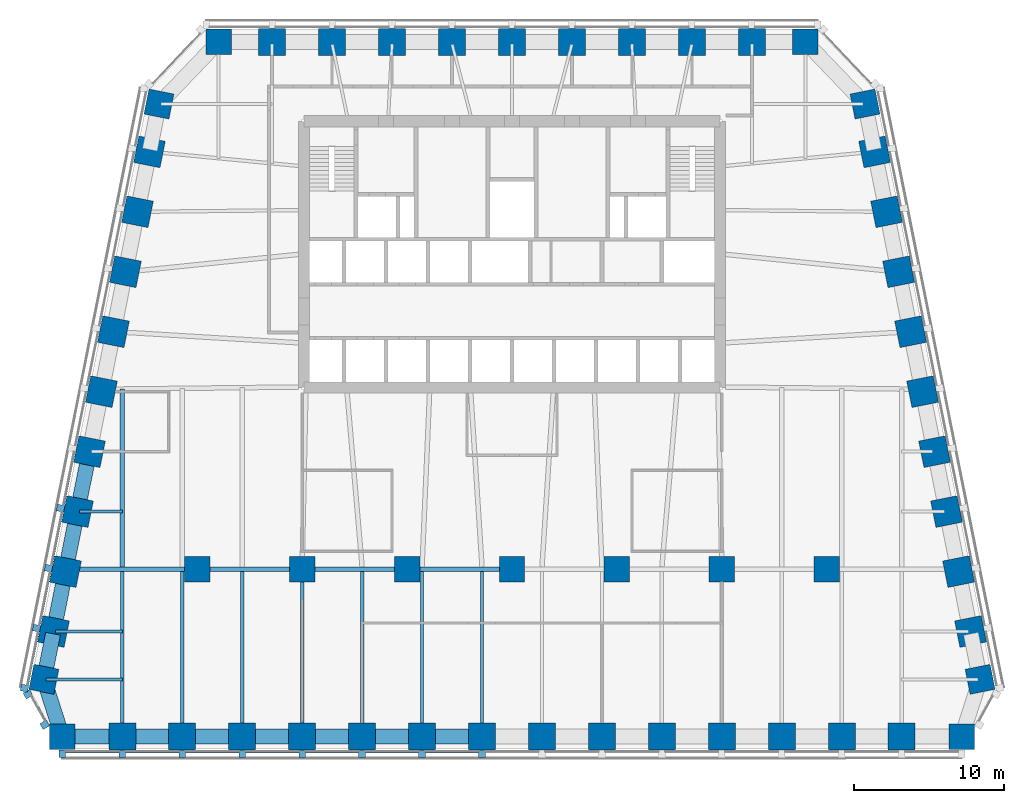
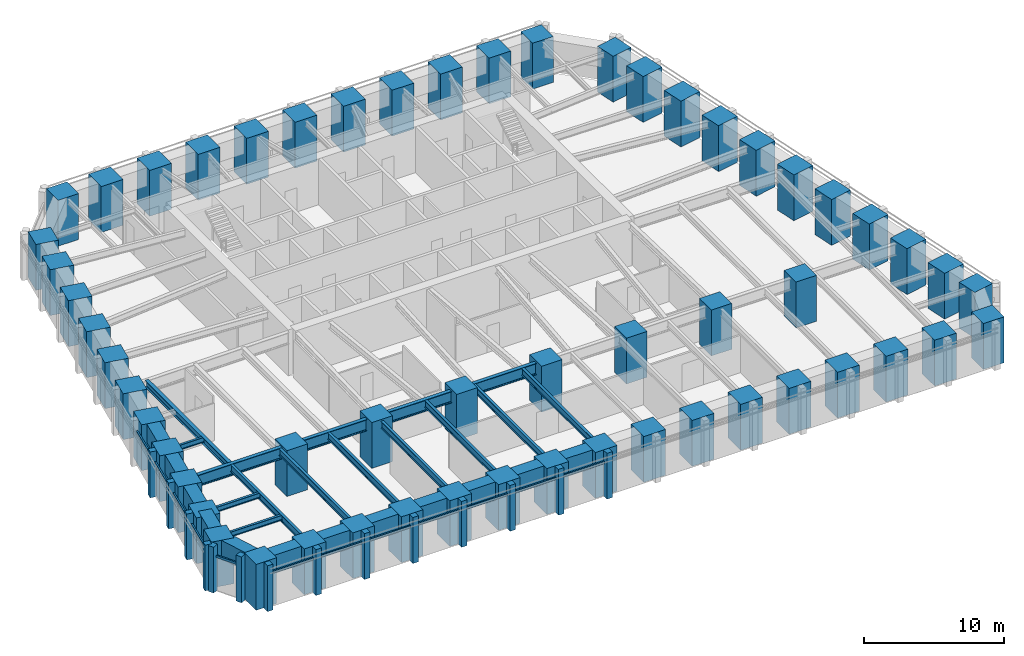
# One storey, part 1 of 9: 56 columns, 27 beams, 26 members, 3 elements without a shape of their own.
"""IFC4 building model written with IfcOpenShell, lengths in metres."""

import ifcopenshell
import ifcopenshell.guid

model = None  # the IFC model being written
_history = None  # IfcOwnerHistory: only IFC2X3 demands one
_inside = {}  # id of a spatial element -> (the spatial element, [elements in it])
_under = {}  # id of a project, library or spatial element -> (it, [spatial elements below it])
_declared = {}  # id of a project -> (the project, [libraries it declares])
_typed = {}  # id of a type object -> (the type object, [elements of that type])
_made_of = {}  # id of a material, layer set ... -> (it, [elements and type objects made of it])


def new_model(schema):
    """Start an empty IFC model of exactly this schema.

    Asked for "IFC4X3", IfcOpenShell would pick the latest addendum, in which some entities
    have other attributes; the version numbers below select the first issue.
    IFC2X3 requires an IfcOwnerHistory on every rooted entity: one is made here for all.
    """
    global model, _history
    if schema == "IFC4X3":
        model = ifcopenshell.file(schema_version=(4, 3, 0, 0))
    else:
        model = ifcopenshell.file(schema=schema)
    _inside.clear()
    _under.clear()
    _declared.clear()
    _typed.clear()
    _made_of.clear()
    _history = None
    if model.schema == "IFC2X3":
        org = make("IfcOrganization", Name="unknown")
        user = make(
            "IfcPersonAndOrganization",
            ThePerson=make("IfcPerson", FamilyName="unknown"),
            TheOrganization=org,
        )
        app = make(
            "IfcApplication",
            ApplicationDeveloper=org,
            Version="unknown",
            ApplicationFullName="unknown",
            ApplicationIdentifier="unknown",
        )
        _history = make(
            "IfcOwnerHistory",
            OwningUser=user,
            OwningApplication=app,
            ChangeAction="ADDED",
            CreationDate=0,
        )
    return model


def make(cls, **values):
    """One entity of the class cls with the attributes given. An attribute that is None is left unset."""
    return model.create_entity(
        cls, **{name: value for name, value in values.items() if value is not None}
    )


def rooted(cls, **values):
    """An entity with a GlobalId (a new one), such as an element, a storey or a relation."""
    return make(cls, GlobalId=ifcopenshell.guid.new(), OwnerHistory=_history, **values)


def si_unit(unit_type, name, prefix=None):
    """IfcSIUnit, for example si_unit("LENGTHUNIT", "METRE", prefix="MILLI")."""
    return make("IfcSIUnit", UnitType=unit_type, Prefix=prefix, Name=name)


def assignment(units):
    """IfcUnitAssignment: the units of a project."""
    return None if units is None else make("IfcUnitAssignment", Units=units)


def point(xyz):
    """IfcCartesianPoint."""
    return None if xyz is None else make("IfcCartesianPoint", Coordinates=xyz)


def direction(xyz):
    """IfcDirection."""
    return None if xyz is None else make("IfcDirection", DirectionRatios=xyz)


def frame(location, z_axis=None, x_axis=None):
    """IfcAxis2Placement3D, a coordinate frame: its origin and axes. An axis left out is left unset."""
    return make(
        "IfcAxis2Placement3D",
        Location=point(location),
        Axis=direction(z_axis),
        RefDirection=direction(x_axis),
    )


def frame_2d(location, x_axis=None):
    """IfcAxis2Placement2D, a coordinate frame in the plane: its origin and x axis."""
    return make(
        "IfcAxis2Placement2D", Location=point(location), RefDirection=direction(x_axis)
    )


def origin():
    """The frame at (0, 0, 0) with its axes left unset."""
    return frame((0.0, 0.0, 0.0))


def origin_2d():
    """The frame at (0, 0) in the plane with its x axis left unset."""
    return frame_2d((0.0, 0.0))


def place(relative_to, where):
    """IfcLocalPlacement: puts the frame where relative to a parent placement (None: the world)."""
    return make(
        "IfcLocalPlacement", PlacementRelTo=relative_to, RelativePlacement=where
    )


def context(
    kind, dimensions, precision=None, world=None, true_north=None, identifier=None
):
    """IfcGeometricRepresentationContext, for example the 3D "Model" context."""
    return make(
        "IfcGeometricRepresentationContext",
        ContextIdentifier=identifier,
        ContextType=kind,
        CoordinateSpaceDimension=dimensions,
        Precision=precision,
        WorldCoordinateSystem=world,
        TrueNorth=true_north,
    )


def subcontext(parent, identifier, kind, view, scale=None):
    """IfcGeometricRepresentationSubContext, for example "Body" below "Model"."""
    return make(
        "IfcGeometricRepresentationSubContext",
        ContextIdentifier=identifier,
        ContextType=kind,
        ParentContext=parent,
        TargetScale=scale,
        TargetView=view,
    )


def project(units=None, contexts=None):
    """IfcProject with its units and contexts."""
    return rooted(
        "IfcProject",
        Name="project",
        RepresentationContexts=contexts,
        UnitsInContext=assignment(units),
    )


def spatial(cls, under=None, at=None, **own):
    """A site, building, storey or space (cls), placed at a placement, below another one or the project."""
    s = rooted(cls, ObjectPlacement=at, **own)
    if under is not None:
        _under.setdefault(under.id(), (under, []))[1].append(s)
    return s


def profile(cls, at=None, kind="AREA", **sizes):
    """A parametric profile (cls). Its sizes go by their IFC names, for example OverallWidth=200.0."""
    return make(cls, ProfileType=kind, Position=at, **sizes)


def rectangle(**sizes):
    """IfcRectangleProfileDef."""
    return profile("IfcRectangleProfileDef", **sizes)


def i_section(**sizes):
    """IfcIShapeProfileDef."""
    return profile("IfcIShapeProfileDef", **sizes)


def extrude(swept, where, along, depth):
    """IfcExtrudedAreaSolid: the profile swept, set in the frame where, extruded along a direction by depth."""
    return make(
        "IfcExtrudedAreaSolid",
        SweptArea=swept,
        Position=where,
        ExtrudedDirection=direction(along),
        Depth=depth,
    )


def shape(context_of_items, identifier, shape_type, items):
    """IfcShapeRepresentation: the items that make up one representation, for example the "Body"."""
    return make(
        "IfcShapeRepresentation",
        ContextOfItems=context_of_items,
        RepresentationIdentifier=identifier,
        RepresentationType=shape_type,
        Items=items,
    )


def material(Name=None, Category=None):
    """IfcMaterial."""
    return make("IfcMaterial", Name=Name, Category=Category)


def material_profile(
    of_material, cross_section, Name=None, Category=None, Priority=None
):
    """IfcMaterialProfile: a cross section and its material."""
    return make(
        "IfcMaterialProfile",
        Name=Name,
        Material=of_material,
        Profile=cross_section,
        Priority=Priority,
        Category=Category,
    )


def profile_set(profiles, Name=None, composite=None):
    """IfcMaterialProfileSet."""
    return make(
        "IfcMaterialProfileSet",
        Name=Name,
        MaterialProfiles=profiles,
        CompositeProfile=composite,
    )


def made_of(thing, what):
    """Note that an element or type object is made of a material, layer set ...; save() writes the relation."""
    if what is not None:
        _made_of.setdefault(what.id(), (what, []))[1].append(thing)
    return thing


def type_object(cls, material=None, **own):
    """A type object (cls), such as IfcWallType, which elements share."""
    return made_of(rooted(cls, **own), material)


def element(
    cls,
    number,
    at=None,
    inside=None,
    cuts=None,
    type_object=None,
    material=None,
    context=None,
    identifier="Body",
    shape_type=None,
    held_by="IfcProductDefinitionShape",
    body=None,
    shapes=None,
    **own,
):
    """One element of the class cls, such as IfcWall. Its Tag is "e" and its number.

    at: its placement. inside: the storey or other place that contains it. cuts: it is an
    opening in that element (IfcRelVoidsElement). A single representation is given by context,
    identifier, shape_type and body (its items); several are given by shapes. held_by: the class
    of the entity that holds the representations. save() writes the other relations.
    """
    e = rooted(cls, Tag="e%d" % number, ObjectPlacement=at, **own)
    if body is not None:
        shapes = [shape(context, identifier, shape_type, body)]
    if shapes is not None:
        e.Representation = make(held_by, Representations=shapes)
    if inside is not None:
        _inside.setdefault(inside.id(), (inside, []))[1].append(e)
    if cuts is not None:
        rooted(
            "IfcRelVoidsElement", RelatingBuildingElement=cuts, RelatedOpeningElement=e
        )
    if type_object is not None:
        _typed.setdefault(type_object.id(), (type_object, []))[1].append(e)
    return made_of(e, material)


def aggregate(whole, parts):
    """IfcRelAggregates: a whole, such as a stair, and the parts it consists of."""
    return rooted("IfcRelAggregates", RelatingObject=whole, RelatedObjects=parts)


def save(model, path):
    """Write the relations noted so far, then the file.

    IfcRelAggregates (storeys below a building ...), IfcRelContainedInSpatialStructure (elements
    in a storey), IfcRelDefinesByType, IfcRelAssociatesMaterial and IfcRelDeclares: one each for
    every whole, place, type object, material and project.
    """
    for whole, parts in _under.values():
        aggregate(whole, parts)
    for where, things in _inside.values():
        rooted(
            "IfcRelContainedInSpatialStructure",
            RelatedElements=things,
            RelatingStructure=where,
        )
    for kind, things in _typed.values():
        rooted("IfcRelDefinesByType", RelatedObjects=things, RelatingType=kind)
    for what, things in _made_of.values():
        rooted("IfcRelAssociatesMaterial", RelatedObjects=things, RelatingMaterial=what)
    for by, libraries in _declared.values():
        rooted("IfcRelDeclares", RelatingContext=by, RelatedDefinitions=libraries)
    model.write(path)


model = new_model("IFC4")

# Units and contexts
model_context = context("Model", 3, precision=1e-05, world=origin(), true_north=direction((0.0, 1.0)))
body_context = subcontext(model_context, "Body", "Model", "MODEL_VIEW")
ifc_project = project(units=[si_unit("LENGTHUNIT", "METRE"), si_unit("AREAUNIT", "SQUARE_METRE"), si_unit("VOLUMEUNIT", "CUBIC_METRE"), si_unit("PLANEANGLEUNIT", "RADIAN"), si_unit("MASSUNIT", "GRAM", prefix="KILO")], contexts=[model_context])

# Site, building, storey
site_placement = place(None, origin())
site = spatial("IfcSite", under=ifc_project, at=site_placement, CompositionType="ELEMENT")
building_placement = place(site_placement, origin())
building = spatial("IfcBuilding", under=site, at=building_placement, Name="Isbrekke Arena Tower", CompositionType="ELEMENT")
storey_placement = place(building_placement, frame((0.0, 0.0, 127.0)))
storey = spatial("IfcBuildingStorey", under=building, at=storey_placement, Name="L28", CompositionType="ELEMENT", Elevation=127.0)

# Columns
ifc_material_1 = material(Name="Concrete B80 (C80/95)", Category="concrete")
ifc_material_profile_1 = material_profile(ifc_material_1, rectangle(XDim=1.699951171875, YDim=1.699951171875, at=origin_2d()), Name="RC 1700x1700")
ifc_profile_set_1 = profile_set([ifc_material_profile_1], Name="Concrete B80 (C80/95)")
column_type_1 = type_object("IfcColumnType", Name="C12 RC 1700 x 1700", PredefinedType="COLUMN", material=ifc_profile_set_1)
for number, where, z_axis, x_axis, name in (
    (1, (-21.0, -6.0, 0.0), (0.0, 0.0, 1.0), (1.0, 0.0, 0.0), "C12 I01"),
    (2, (-14.0, -6.0, 0.0), (0.0, 0.0, 1.0), (1.0, 0.0, 0.0), "C12 I02"),
    (3, (-7.0, -6.0, 0.0), (0.0, 0.0, 1.0), (1.0, 0.0, 0.0), "C12 I03"),
    (4, (0.0, -6.0, 0.0), (0.0, 0.0, 1.0), (1.0, 0.0, 0.0), "C12 I04"),
    (5, (7.0, -6.0, 0.0), (0.0, 0.0, 1.0), (1.0, 0.0, 0.0), "C12 I05"),
    (6, (14.0, -6.0, 0.0), (0.0, 0.0, 1.0), (1.0, 0.0, 0.0), "C12 I06"),
    (7, (21.0, -6.0, 0.0), (0.0, 0.0, 1.0), (1.0, 0.0, 0.0), "C12 I07"),
):
    element("IfcColumn", number, at=place(storey_placement, frame(where, z_axis=z_axis, x_axis=x_axis)), inside=storey, type_object=column_type_1, Name=name, PredefinedType="COLUMN", context=body_context, shape_type="SweptSolid", body=[
        extrude(rectangle(XDim=1.699951171875, YDim=1.699951171875, at=origin_2d()), origin(), (0.0, 0.0, 1.0), 4.0),
    ])
ifc_material_2 = material(Name="Concrete B80 (C80/95)", Category="concrete")
ifc_material_profile_2 = material_profile(ifc_material_2, rectangle(XDim=1.800048828125, YDim=1.800048828125, at=origin_2d()), Name="RC 1800x1800")
ifc_profile_set_2 = profile_set([ifc_material_profile_2], Name="Concrete B80 (C80/95)")
column_type_2 = type_object("IfcColumnType", Name="C3 RC 1800 x 1800", PredefinedType="COLUMN", material=ifc_profile_set_2)
for number, where, z_axis, x_axis, name in (
    (8, (-26.0, -17.175048828125, 0.0), (0.0, 0.0, 1.0), (1.0, 0.0, 0.0), "C3 S02"),
    (9, (-22.0, -17.175048828125, 0.0), (0.0, 0.0, 1.0), (1.0, 0.0, 0.0), "C3 S03"),
    (10, (-18.0, -17.175048828125, 0.0), (0.0, 0.0, 1.0), (1.0, 0.0, 0.0), "C3 S04"),
    (11, (-14.0, -17.175048828125, 0.0), (0.0, 0.0, 1.0), (1.0, 0.0, 0.0), "C3 S05"),
    (12, (-10.0, -17.175048828125, 0.0), (0.0, 0.0, 1.0), (1.0, 0.0, 0.0), "C3 S06"),
    (13, (-6.0, -17.175048828125, 0.0), (0.0, 0.0, 1.0), (1.0, 0.0, 0.0), "C3 S07"),
    (14, (-2.0, -17.175048828125, 0.0), (0.0, 0.0, 1.0), (1.0, 0.0, 0.0), "C3 S08"),
    (15, (2.0, -17.175048828125, 0.0), (0.0, 0.0, 1.0), (1.0, 0.0, 0.0), "C3 S09"),
    (16, (6.0, -17.175048828125, 0.0), (0.0, 0.0, 1.0), (1.0, 0.0, 0.0), "C3 S10"),
    (17, (10.0, -17.175048828125, 0.0), (0.0, 0.0, 1.0), (1.0, 0.0, 0.0), "C3 S11"),
    (18, (14.0, -17.175048828125, 0.0), (0.0, 0.0, 1.0), (1.0, 0.0, 0.0), "C3 S12"),
    (19, (18.0, -17.175048828125, 0.0), (0.0, 0.0, 1.0), (1.0, 0.0, 0.0), "C3 S13"),
    (20, (22.0, -17.175048828125, 0.0), (0.0, 0.0, 1.0), (1.0, 0.0, 0.0), "C3 S14"),
    (21, (26.0, -17.175048828125, 0.0), (0.0, 0.0, 1.0), (1.0, 0.0, 0.0), "C3 S15"),
    (22, (30.591064453125, -10.161865234375, 0.0), (0.0, 0.0, 1.0), (-0.196116135138, 0.980580675691, 0.0), "C3 E02"),
    (23, (29.791015625, -6.161865234375, 0.0), (0.0, 0.0, 1.0), (-0.196116135138, 0.980580675691, 0.0), "C3 E03"),
    (24, (28.990966796875, -2.161865234375, 0.0), (0.0, 0.0, 1.0), (-0.196116135138, 0.980580675691, 0.0), "C3 E04"),
    (25, (28.19091796875, 1.838134765625, 0.0), (0.0, 0.0, 1.0), (-0.196116135138, 0.980580675691, 0.0), "C3 E05"),
    (26, (27.39111328125, 5.838134765625, 0.0), (0.0, 0.0, 1.0), (-0.196116135138, 0.980580675691, 0.0), "C3 E06"),
    (27, (26.591064453125, 9.838134765625, 0.0), (0.0, 0.0, 1.0), (-0.196116135138, 0.980580675691, 0.0), "C3 E07"),
    (28, (25.791015625, 13.838134765625, 0.0), (0.0, 0.0, 1.0), (-0.196116135138, 0.980580675691, 0.0), "C3 E08"),
    (29, (24.990966796875, 17.838134765625, 0.0), (0.0, 0.0, 1.0), (-0.196116135138, 0.980580675691, 0.0), "C3 E09"),
    (30, (24.19091796875, 21.838134765625, 0.0), (0.0, 0.0, 1.0), (-0.196116135138, 0.980580675691, 0.0), "C3 E10"),
    (31, (16.0, 29.175048828125, 0.0), (0.0, 0.0, 1.0), (-1.0, 0.0, 0.0), "C3 N02"),
    (32, (12.0, 29.175048828125, 0.0), (0.0, 0.0, 1.0), (-1.0, 0.0, 0.0), "C3 N03"),
    (33, (8.0, 29.175048828125, 0.0), (0.0, 0.0, 1.0), (-1.0, 0.0, 0.0), "C3 N04"),
    (34, (4.0, 29.175048828125, 0.0), (0.0, 0.0, 1.0), (-1.0, 0.0, 0.0), "C3 N05"),
    (35, (0.0, 29.175048828125, 0.0), (0.0, 0.0, 1.0), (-1.0, 0.0, 0.0), "C3 N06"),
    (36, (-4.0, 29.175048828125, 0.0), (0.0, 0.0, 1.0), (-1.0, 0.0, 0.0), "C3 N07"),
    (37, (-8.0, 29.175048828125, 0.0), (0.0, 0.0, 1.0), (-1.0, 0.0, 0.0), "C3 N08"),
    (38, (-12.0, 29.175048828125, 0.0), (0.0, 0.0, 1.0), (-1.0, 0.0, 0.0), "C3 N09"),
    (39, (-16.0, 29.175048828125, 0.0), (0.0, 0.0, 1.0), (-1.0, 0.0, 0.0), "C3 N10"),
    (40, (-24.19091796875, 21.838134765625, 0.0), (0.0, 0.0, 1.0), (-0.196116135138, -0.980580675691, 0.0), "C3 W02"),
    (41, (-24.990966796875, 17.838134765625, 0.0), (0.0, 0.0, 1.0), (-0.196116135138, -0.980580675691, 0.0), "C3 W03"),
    (42, (-25.791015625, 13.838134765625, 0.0), (0.0, 0.0, 1.0), (-0.196116135138, -0.980580675691, 0.0), "C3 W04"),
    (43, (-26.591064453125, 9.838134765625, 0.0), (0.0, 0.0, 1.0), (-0.196116135138, -0.980580675691, 0.0), "C3 W05"),
    (44, (-27.39111328125, 5.838134765625, 0.0), (0.0, 0.0, 1.0), (-0.196116135138, -0.980580675691, 0.0), "C3 W06"),
    (45, (-28.19091796875, 1.838134765625, 0.0), (0.0, 0.0, 1.0), (-0.196116135138, -0.980580675691, 0.0), "C3 W07"),
    (46, (-28.990966796875, -2.161865234375, 0.0), (0.0, 0.0, 1.0), (-0.196116135138, -0.980580675691, 0.0), "C3 W08"),
    (47, (-29.791015625, -6.161865234375, 0.0), (0.0, 0.0, 1.0), (-0.196116135138, -0.980580675691, 0.0), "C3 W09"),
    (48, (-30.591064453125, -10.161865234375, 0.0), (0.0, 0.0, 1.0), (-0.196116135138, -0.980580675691, 0.0), "C3 W10"),
):
    element("IfcColumn", number, at=place(storey_placement, frame(where, z_axis=z_axis, x_axis=x_axis)), inside=storey, type_object=column_type_2, Name=name, PredefinedType="COLUMN", context=body_context, shape_type="SweptSolid", body=[
        extrude(rectangle(XDim=1.800048828125, YDim=1.800048828125, at=origin_2d()), origin(), (0.0, 0.0, 1.0), 4.0),
    ])
ifc_material_3 = material(Name="Concrete B80 (C80/95)", Category="concrete")
ifc_material_profile_3 = material_profile(ifc_material_3, rectangle(XDim=1.699951171875, YDim=1.699951171875, at=origin_2d()), Name="RC 1700x1700")
ifc_profile_set_3 = profile_set([ifc_material_profile_3], Name="Concrete B80 (C80/95)")
column_type_3 = type_object("IfcColumnType", Name="C7 RC 1700 x 1700", PredefinedType="COLUMN", material=ifc_profile_set_3)
for number, where, z_axis, x_axis, name in (
    (49, (-30.0, -17.175048828125, 0.0), (0.0, 0.0, 1.0), (1.0, 0.0, 0.0), "C7 S01"),
    (50, (30.0, -17.175048828125, 0.0), (0.0, 0.0, 1.0), (1.0, 0.0, 0.0), "C7 S16"),
    (51, (31.229248046875, -13.352783203125, 0.0), (0.0, 0.0, 1.0), (-0.196116135138, 0.980580675691, 0.0), "C7 E01"),
    (52, (23.552734375, 25.029296875, 0.0), (0.0, 0.0, 1.0), (-0.196116135138, 0.980580675691, 0.0), "C7 E11"),
    (53, (19.574951171875, 29.175048828125, 0.0), (0.0, 0.0, 1.0), (-1.0, 0.0, 0.0), "C7 N01"),
    (54, (-19.574951171875, 29.175048828125, 0.0), (0.0, 0.0, 1.0), (-1.0, 0.0, 0.0), "C7 N11"),
    (55, (-23.552734375, 25.029296875, 0.0), (0.0, 0.0, 1.0), (-0.196116135138, -0.980580675691, 0.0), "C7 W01"),
    (56, (-31.229248046875, -13.352783203125, 0.0), (0.0, 0.0, 1.0), (-0.196116135138, -0.980580675691, 0.0), "C7 W11"),
):
    element("IfcColumn", number, at=place(storey_placement, frame(where, z_axis=z_axis, x_axis=x_axis)), inside=storey, type_object=column_type_3, Name=name, PredefinedType="COLUMN", context=body_context, shape_type="SweptSolid", body=[
        extrude(rectangle(XDim=1.699951171875, YDim=1.699951171875, at=origin_2d()), origin(), (0.0, 0.0, 1.0), 4.0),
    ])

# Beams
ifc_material_4 = material(Name="Steel S355", Category="steel")
ifc_material_profile_4 = material_profile(ifc_material_4, i_section(OverallWidth=0.219970703125, OverallDepth=0.60009765625, WebThickness=0.011962890625, FlangeThickness=0.01904296875, FilletRadius=0.02392578125, at=origin_2d()), Name="IPE 600")
ifc_profile_set_4 = profile_set([ifc_material_profile_4], Name="Steel S355")
beam_type_1 = type_object("IfcBeamType", Name="B1 IPE 600", PredefinedType="BEAM", material=ifc_profile_set_4)
for number, where, z_axis, x_axis, name in (
    (57, (-26.0, -17.02490234375, 3.550048828125), (0.0, 1.0, 0.0), (-1.0, 0.0, 0.0), "B1 beam S-S02 L28"),
    (58, (-22.0, -17.02490234375, 3.550048828125), (0.0, 1.0, 0.0), (-1.0, 0.0, 0.0), "B1 beam S-S03 L28"),
    (59, (-18.0, -17.02490234375, 3.550048828125), (0.0, 1.0, 0.0), (-1.0, 0.0, 0.0), "B1 beam S-S04 L28"),
):
    element("IfcBeam", number, at=place(storey_placement, frame(where, z_axis=z_axis, x_axis=x_axis)), inside=storey, type_object=beam_type_1, Name=name, PredefinedType="BEAM", context=body_context, shape_type="SweptSolid", body=[
        extrude(i_section(OverallWidth=0.219970703125, OverallDepth=0.60009765625, WebThickness=0.011962890625, FlangeThickness=0.01904296875, FilletRadius=0.02392578125, at=origin_2d()), origin(), (0.0, 0.0, 1.0), 10.8740234375),
    ])
beam_1_placement = place(storey_placement, frame((-14.0, -17.02490234375, 3.550048828125), z_axis=(0.0, 1.0, 0.0), x_axis=(-1.0, 0.0, 0.0)))
element("IfcBeam", 60, at=beam_1_placement, inside=storey, type_object=beam_type_1, Name="B1 beam S-S05 L28", PredefinedType="BEAM", context=body_context, shape_type="SweptSolid", body=[
    extrude(i_section(OverallWidth=0.219970703125, OverallDepth=0.60009765625, WebThickness=0.011962890625, FlangeThickness=0.01904296875, FilletRadius=0.02392578125, at=origin_2d()), origin(), (0.0, 0.0, 1.0), 10.875),
])
for number, where, z_axis, x_axis, name in (
    (61, (-10.0, -17.02490234375, 3.550048828125), (0.0, 1.0, 0.0), (-1.0, 0.0, 0.0), "B1 beam S-S06 L28"),
    (62, (-6.0, -17.02490234375, 3.550048828125), (0.0, 1.0, 0.0), (-1.0, 0.0, 0.0), "B1 beam S-S07 L28"),
    (63, (-2.0, -17.02490234375, 3.550048828125), (0.0, 1.0, 0.0), (-1.0, 0.0, 0.0), "B1 beam S-S08 L28"),
):
    element("IfcBeam", number, at=place(storey_placement, frame(where, z_axis=z_axis, x_axis=x_axis)), inside=storey, type_object=beam_type_1, Name=name, PredefinedType="BEAM", context=body_context, shape_type="SweptSolid", body=[
        extrude(i_section(OverallWidth=0.219970703125, OverallDepth=0.60009765625, WebThickness=0.011962890625, FlangeThickness=0.01904296875, FilletRadius=0.02392578125, at=origin_2d()), origin(), (0.0, 0.0, 1.0), 10.8740234375),
    ])
ifc_material_5 = material(Name="Steel S355", Category="steel")
ifc_material_profile_5 = material_profile(ifc_material_5, i_section(OverallWidth=0.18994140625, OverallDepth=0.449951171875, WebThickness=0.009521484375, FlangeThickness=0.0146484375, FilletRadius=0.02099609375, at=origin_2d()), Name="IPE 450")
ifc_profile_set_5 = profile_set([ifc_material_profile_5], Name="Steel S355")
beam_type_2 = type_object("IfcBeamType", Name="B2 IPE 450", PredefinedType="BEAM", material=ifc_profile_set_5)
beam_2_placement = place(storey_placement, frame((-28.841064453125, -2.161865234375, 3.625), z_axis=(1.0, 0.0, 0.0), x_axis=(0.0, 1.0, 0.0)))
element("IfcBeam", 64, at=beam_2_placement, inside=storey, type_object=beam_type_2, Name="B2 beam E-W08 L28", PredefinedType="BEAM", context=body_context, shape_type="SweptSolid", body=[
    extrude(i_section(OverallWidth=0.18994140625, OverallDepth=0.449951171875, WebThickness=0.009521484375, FlangeThickness=0.0146484375, FilletRadius=0.02099609375, at=origin_2d()), origin(), (0.0, 0.0, 1.0), 2.841064453125),
])
beam_3_placement = place(storey_placement, frame((-30.44091796875, -10.161865234375, 3.625), z_axis=(1.0, 0.0, 0.0), x_axis=(0.0, 1.0, 0.0)))
element("IfcBeam", 65, at=beam_3_placement, inside=storey, type_object=beam_type_2, Name="B2 beam E-W10 L28", PredefinedType="BEAM", context=body_context, shape_type="SweptSolid", body=[
    extrude(i_section(OverallWidth=0.18994140625, OverallDepth=0.449951171875, WebThickness=0.009521484375, FlangeThickness=0.0146484375, FilletRadius=0.02099609375, at=origin_2d()), origin(), (0.0, 0.0, 1.0), 4.44091796875),
])
beam_4_placement = place(storey_placement, frame((-31.079345703125, -13.352783203125, 3.625), z_axis=(1.0, 0.0, 0.0), x_axis=(0.0, 1.0, 0.0)))
element("IfcBeam", 66, at=beam_4_placement, inside=storey, type_object=beam_type_2, Name="B2 beam E-W11 L28", PredefinedType="BEAM", context=body_context, shape_type="SweptSolid", body=[
    extrude(i_section(OverallWidth=0.18994140625, OverallDepth=0.449951171875, WebThickness=0.009521484375, FlangeThickness=0.0146484375, FilletRadius=0.02099609375, at=origin_2d()), origin(), (0.0, 0.0, 1.0), 5.079345703125),
])
ifc_material_6 = material(Name="Steel S355", Category="steel")
ifc_material_profile_6 = material_profile(ifc_material_6, i_section(OverallWidth=0.300048828125, OverallDepth=0.60009765625, WebThickness=0.015380859375, FlangeThickness=0.030029296875, FilletRadius=0.027099609375, at=origin_2d()), Name="HEB 600")
ifc_profile_set_6 = profile_set([ifc_material_profile_6], Name="Steel S355")
beam_type_3 = type_object("IfcBeamType", Name="B7 HEB 600", PredefinedType="BEAM", material=ifc_profile_set_6)
beam_5_placement = place(storey_placement, frame((-26.0, -5.84912109375, 3.550048828125), z_axis=(0.0, 1.0, 0.0), x_axis=(-1.0, 0.0, 0.0)))
element("IfcBeam", 67, at=beam_5_placement, inside=storey, type_object=beam_type_3, Name="B7 beam C-M01 L28", PredefinedType="BEAM", context=body_context, shape_type="SweptSolid", body=[
    extrude(i_section(OverallWidth=0.300048828125, OverallDepth=0.60009765625, WebThickness=0.015380859375, FlangeThickness=0.030029296875, FilletRadius=0.027099609375, at=origin_2d()), origin(), (0.0, 0.0, 1.0), 11.864990234375),
])

# Curtain wall, members
ifc_material_7 = material(Name="Glazed aluminium curtain wall", Category="aluminium")
curtain_wall_type = type_object("IfcCurtainWallType", Name="CWM TOWER CURTAIN WALL MID ZONE", PredefinedType="USERDEFINED", material=ifc_material_7)
curtain_wall_1_placement = place(storey_placement, origin())
curtain_wall_1 = element("IfcCurtainWall", 68, at=curtain_wall_1_placement, inside=storey, type_object=curtain_wall_type, Name="CWM curtain wall L28-S", ObjectType="TOWER CURTAIN WALL MID ZONE", PredefinedType="USERDEFINED")
ifc_material_8 = material(Name="Aluminium mullion, pale brick slip cladding", Category="masonry")
ifc_material_profile_7 = material_profile(ifc_material_8, rectangle(XDim=0.449951171875, YDim=0.5, at=origin_2d()), Name="PIER 450X500")
ifc_profile_set_7 = profile_set([ifc_material_profile_7], Name="Aluminium mullion, pale brick slip cladding")
member_type_1 = type_object("IfcMemberType", Name="CWM-M PIER MULLION 450 x 500", PredefinedType="MULLION", material=ifc_profile_set_7)
member_1_placement = place(storey_placement, frame((-30.0, -18.324951171875, 0.0), z_axis=(0.0, 0.0, 1.0), x_axis=(1.0, 0.0, 0.0)))
member_1 = element("IfcMember", 69, at=member_1_placement, type_object=member_type_1, Name="CWM-M mullion 1", PredefinedType="MULLION", context=body_context, shape_type="SweptSolid", body=[
    extrude(rectangle(XDim=0.449951171875, YDim=0.5, at=origin_2d()), origin(), (0.0, 0.0, 1.0), 4.0),
])
member_2_placement = place(storey_placement, frame((-26.0, -18.324951171875, 0.0), z_axis=(0.0, 0.0, 1.0), x_axis=(1.0, 0.0, 0.0)))
member_2 = element("IfcMember", 70, at=member_2_placement, type_object=member_type_1, Name="CWM-M mullion 2", PredefinedType="MULLION", context=body_context, shape_type="SweptSolid", body=[
    extrude(rectangle(XDim=0.449951171875, YDim=0.5, at=origin_2d()), origin(), (0.0, 0.0, 1.0), 4.0),
])
member_3_placement = place(storey_placement, frame((-22.0, -18.324951171875, 0.0), z_axis=(0.0, 0.0, 1.0), x_axis=(1.0, 0.0, 0.0)))
member_3 = element("IfcMember", 71, at=member_3_placement, type_object=member_type_1, Name="CWM-M mullion 3", PredefinedType="MULLION", context=body_context, shape_type="SweptSolid", body=[
    extrude(rectangle(XDim=0.449951171875, YDim=0.5, at=origin_2d()), origin(), (0.0, 0.0, 1.0), 4.0),
])
member_4_placement = place(storey_placement, frame((-18.0, -18.324951171875, 0.0), z_axis=(0.0, 0.0, 1.0), x_axis=(1.0, 0.0, 0.0)))
member_4 = element("IfcMember", 72, at=member_4_placement, type_object=member_type_1, Name="CWM-M mullion 4", PredefinedType="MULLION", context=body_context, shape_type="SweptSolid", body=[
    extrude(rectangle(XDim=0.449951171875, YDim=0.5, at=origin_2d()), origin(), (0.0, 0.0, 1.0), 4.0),
])
member_5_placement = place(storey_placement, frame((-14.0, -18.324951171875, 0.0), z_axis=(0.0, 0.0, 1.0), x_axis=(1.0, 0.0, 0.0)))
member_5 = element("IfcMember", 73, at=member_5_placement, type_object=member_type_1, Name="CWM-M mullion 5", PredefinedType="MULLION", context=body_context, shape_type="SweptSolid", body=[
    extrude(rectangle(XDim=0.449951171875, YDim=0.5, at=origin_2d()), origin(), (0.0, 0.0, 1.0), 4.0),
])
member_6_placement = place(storey_placement, frame((-10.0, -18.324951171875, 0.0), z_axis=(0.0, 0.0, 1.0), x_axis=(1.0, 0.0, 0.0)))
member_6 = element("IfcMember", 74, at=member_6_placement, type_object=member_type_1, Name="CWM-M mullion 6", PredefinedType="MULLION", context=body_context, shape_type="SweptSolid", body=[
    extrude(rectangle(XDim=0.449951171875, YDim=0.5, at=origin_2d()), origin(), (0.0, 0.0, 1.0), 4.0),
])
member_7_placement = place(storey_placement, frame((-6.0, -18.324951171875, 0.0), z_axis=(0.0, 0.0, 1.0), x_axis=(1.0, 0.0, 0.0)))
member_7 = element("IfcMember", 75, at=member_7_placement, type_object=member_type_1, Name="CWM-M mullion 7", PredefinedType="MULLION", context=body_context, shape_type="SweptSolid", body=[
    extrude(rectangle(XDim=0.449951171875, YDim=0.5, at=origin_2d()), origin(), (0.0, 0.0, 1.0), 4.0),
])
member_8_placement = place(storey_placement, frame((-2.0, -18.324951171875, 0.0), z_axis=(0.0, 0.0, 1.0), x_axis=(1.0, 0.0, 0.0)))
member_8 = element("IfcMember", 76, at=member_8_placement, type_object=member_type_1, Name="CWM-M mullion 8", PredefinedType="MULLION", context=body_context, shape_type="SweptSolid", body=[
    extrude(rectangle(XDim=0.449951171875, YDim=0.5, at=origin_2d()), origin(), (0.0, 0.0, 1.0), 4.0),
])

curtain_wall_2_placement = place(storey_placement, origin())
curtain_wall_2 = element("IfcCurtainWall", 77, at=curtain_wall_2_placement, inside=storey, type_object=curtain_wall_type, Name="CWM curtain wall L28-W", ObjectType="TOWER CURTAIN WALL MID ZONE", PredefinedType="USERDEFINED")
member_9_placement = place(storey_placement, frame((-30.11865234375, -1.936279296875, 0.0), z_axis=(0.0, 0.0, 1.0), x_axis=(-0.196116135138, -0.980580675691, 0.0)))
member_9 = element("IfcMember", 78, at=member_9_placement, type_object=member_type_1, Name="CWM-M mullion 8", PredefinedType="MULLION", context=body_context, shape_type="SweptSolid", body=[
    extrude(rectangle(XDim=0.449951171875, YDim=0.5, at=origin_2d()), origin(), (0.0, 0.0, 1.0), 4.0),
])
member_10_placement = place(storey_placement, frame((-30.918701171875, -5.936279296875, 0.0), z_axis=(0.0, 0.0, 1.0), x_axis=(-0.196116135138, -0.980580675691, 0.0)))
member_10 = element("IfcMember", 79, at=member_10_placement, type_object=member_type_1, Name="CWM-M mullion 9", PredefinedType="MULLION", context=body_context, shape_type="SweptSolid", body=[
    extrude(rectangle(XDim=0.449951171875, YDim=0.5, at=origin_2d()), origin(), (0.0, 0.0, 1.0), 4.0),
])
member_11_placement = place(storey_placement, frame((-31.71875, -9.936279296875, 0.0), z_axis=(0.0, 0.0, 1.0), x_axis=(-0.196116135138, -0.980580675691, 0.0)))
member_11 = element("IfcMember", 80, at=member_11_placement, type_object=member_type_1, Name="CWM-M mullion 10", PredefinedType="MULLION", context=body_context, shape_type="SweptSolid", body=[
    extrude(rectangle(XDim=0.449951171875, YDim=0.5, at=origin_2d()), origin(), (0.0, 0.0, 1.0), 4.0),
])
member_12_placement = place(storey_placement, frame((-32.518798828125, -13.936279296875, 0.0), z_axis=(0.0, 0.0, 1.0), x_axis=(-0.196116135138, -0.980580675691, 0.0)))
member_12 = element("IfcMember", 81, at=member_12_placement, type_object=member_type_1, Name="CWM-M mullion 11", PredefinedType="MULLION", context=body_context, shape_type="SweptSolid", body=[
    extrude(rectangle(XDim=0.449951171875, YDim=0.5, at=origin_2d()), origin(), (0.0, 0.0, 1.0), 4.0),
])

curtain_wall_3_placement = place(storey_placement, origin())
curtain_wall_3 = element("IfcCurtainWall", 82, at=curtain_wall_3_placement, inside=storey, type_object=curtain_wall_type, Name="CWM curtain wall L28-WS", ObjectType="TOWER CURTAIN WALL MID ZONE", PredefinedType="USERDEFINED")
member_13_placement = place(storey_placement, frame((-32.29638671875, -14.34326171875, 0.0), z_axis=(0.0, 0.0, 1.0), x_axis=(0.481918749773, -0.876215908676, 0.0)))
member_13 = element("IfcMember", 83, at=member_13_placement, type_object=member_type_1, Name="CWM-M mullion 1", PredefinedType="MULLION", context=body_context, shape_type="SweptSolid", body=[
    extrude(rectangle(XDim=0.449951171875, YDim=0.5, at=origin_2d()), origin(), (0.0, 0.0, 1.0), 4.0),
])
member_14_placement = place(storey_placement, frame((-31.174560546875, -16.38330078125, 0.0), z_axis=(0.0, 0.0, 1.0), x_axis=(0.481918749773, -0.876215908676, 0.0)))
member_14 = element("IfcMember", 84, at=member_14_placement, type_object=member_type_1, Name="CWM-M mullion 2", PredefinedType="MULLION", context=body_context, shape_type="SweptSolid", body=[
    extrude(rectangle(XDim=0.449951171875, YDim=0.5, at=origin_2d()), origin(), (0.0, 0.0, 1.0), 4.0),
])

# Member
ifc_material_9 = material(Name="Aluminium transom", Category="aluminium")
ifc_material_profile_8 = material_profile(ifc_material_9, rectangle(XDim=0.1201171875, YDim=0.199951171875, at=origin_2d()), Name="TRANSOM 120X200")
ifc_profile_set_8 = profile_set([ifc_material_profile_8], Name="Aluminium transom")
member_type_2 = type_object("IfcMemberType", Name="CWM-T TRANSOM 120 x 200", PredefinedType="USERDEFINED", material=ifc_profile_set_8)
member_15_placement = place(storey_placement, frame((-29.77490234375, -18.175048828125, 3.0), z_axis=(1.0, 0.0, 0.0), x_axis=(0.0, 1.0, 0.0)))
member_15 = element("IfcMember", 85, at=member_15_placement, type_object=member_type_2, Name="CWM-T transom 1", ObjectType="TRANSOM", PredefinedType="USERDEFINED", context=body_context, shape_type="SweptSolid", body=[
    extrude(rectangle(XDim=0.1201171875, YDim=0.199951171875, at=origin_2d()), origin(), (0.0, 0.0, 1.0), 3.5498046875),
])

member_16_placement = place(storey_placement, frame((-25.77490234375, -18.175048828125, 3.0), z_axis=(1.0, 0.0, 0.0), x_axis=(0.0, 1.0, 0.0)))
member_16 = element("IfcMember", 86, at=member_16_placement, type_object=member_type_2, Name="CWM-T transom 2", ObjectType="TRANSOM", PredefinedType="USERDEFINED", context=body_context, shape_type="SweptSolid", body=[
    extrude(rectangle(XDim=0.1201171875, YDim=0.199951171875, at=origin_2d()), origin(), (0.0, 0.0, 1.0), 3.5498046875),
])

member_17_placement = place(storey_placement, frame((-21.77490234375, -18.175048828125, 3.0), z_axis=(1.0, 0.0, 0.0), x_axis=(0.0, 1.0, 0.0)))
member_17 = element("IfcMember", 87, at=member_17_placement, type_object=member_type_2, Name="CWM-T transom 3", ObjectType="TRANSOM", PredefinedType="USERDEFINED", context=body_context, shape_type="SweptSolid", body=[
    extrude(rectangle(XDim=0.1201171875, YDim=0.199951171875, at=origin_2d()), origin(), (0.0, 0.0, 1.0), 3.5498046875),
])

member_18_placement = place(storey_placement, frame((-17.77490234375, -18.175048828125, 3.0), z_axis=(1.0, 0.0, 0.0), x_axis=(0.0, 1.0, 0.0)))
member_18 = element("IfcMember", 88, at=member_18_placement, type_object=member_type_2, Name="CWM-T transom 4", ObjectType="TRANSOM", PredefinedType="USERDEFINED", context=body_context, shape_type="SweptSolid", body=[
    extrude(rectangle(XDim=0.1201171875, YDim=0.199951171875, at=origin_2d()), origin(), (0.0, 0.0, 1.0), 3.5498046875),
])

member_19_placement = place(storey_placement, frame((-13.77490234375, -18.175048828125, 3.0), z_axis=(1.0, 0.0, 0.0), x_axis=(0.0, 1.0, 0.0)))
member_19 = element("IfcMember", 89, at=member_19_placement, type_object=member_type_2, Name="CWM-T transom 5", ObjectType="TRANSOM", PredefinedType="USERDEFINED", context=body_context, shape_type="SweptSolid", body=[
    extrude(rectangle(XDim=0.1201171875, YDim=0.199951171875, at=origin_2d()), origin(), (0.0, 0.0, 1.0), 3.5498046875),
])

member_20_placement = place(storey_placement, frame((-9.77490234375, -18.175048828125, 3.0), z_axis=(1.0, 0.0, 0.0), x_axis=(0.0, 1.0, 0.0)))
member_20 = element("IfcMember", 90, at=member_20_placement, type_object=member_type_2, Name="CWM-T transom 6", ObjectType="TRANSOM", PredefinedType="USERDEFINED", context=body_context, shape_type="SweptSolid", body=[
    extrude(rectangle(XDim=0.1201171875, YDim=0.199951171875, at=origin_2d()), origin(), (0.0, 0.0, 1.0), 3.5498046875),
])

member_21_placement = place(storey_placement, frame((-5.77490234375, -18.175048828125, 3.0), z_axis=(1.0, 0.0, 0.0), x_axis=(0.0, 1.0, 0.0)))
member_21 = element("IfcMember", 91, at=member_21_placement, type_object=member_type_2, Name="CWM-T transom 7", ObjectType="TRANSOM", PredefinedType="USERDEFINED", context=body_context, shape_type="SweptSolid", body=[
    extrude(rectangle(XDim=0.1201171875, YDim=0.199951171875, at=origin_2d()), origin(), (0.0, 0.0, 1.0), 3.5498046875),
])

aggregate(curtain_wall_1, [member_1, member_2, member_3, member_4, member_5, member_6, member_7, member_8, member_15, member_16, member_17, member_18, member_19, member_20, member_21])

member_22_placement = place(storey_placement, frame((-29.2158203125, 1.813720703125, 3.0), z_axis=(-0.196090262229, -0.980585849918, 0.0), x_axis=(0.980585849918, -0.196090262229, 0.0)))
member_22 = element("IfcMember", 92, at=member_22_placement, type_object=member_type_2, Name="CWM-T transom 7", ObjectType="TRANSOM", PredefinedType="USERDEFINED", context=body_context, shape_type="SweptSolid", body=[
    extrude(rectangle(XDim=0.1201171875, YDim=0.199951171875, at=origin_2d()), origin(), (0.0, 0.0, 1.0), 3.62939453125),
])

member_23_placement = place(storey_placement, frame((-30.015625, -2.186279296875, 3.0), z_axis=(-0.196154943734, -0.980572913173, 0.0), x_axis=(0.980572913173, -0.196154943734, 0.0)))
member_23 = element("IfcMember", 93, at=member_23_placement, type_object=member_type_2, Name="CWM-T transom 8", ObjectType="TRANSOM", PredefinedType="USERDEFINED", context=body_context, shape_type="SweptSolid", body=[
    extrude(rectangle(XDim=0.1201171875, YDim=0.199951171875, at=origin_2d()), origin(), (0.0, 0.0, 1.0), 3.62939453125),
])

member_24_placement = place(storey_placement, frame((-30.815673828125, -6.186279296875, 3.0), z_axis=(-0.196154943734, -0.980572913173, 0.0), x_axis=(0.980572913173, -0.196154943734, 0.0)))
member_24 = element("IfcMember", 94, at=member_24_placement, type_object=member_type_2, Name="CWM-T transom 9", ObjectType="TRANSOM", PredefinedType="USERDEFINED", context=body_context, shape_type="SweptSolid", body=[
    extrude(rectangle(XDim=0.1201171875, YDim=0.199951171875, at=origin_2d()), origin(), (0.0, 0.0, 1.0), 3.62939453125),
])

member_25_placement = place(storey_placement, frame((-31.61572265625, -10.186279296875, 3.0), z_axis=(-0.196090262229, -0.980585849918, 0.0), x_axis=(0.980585849918, -0.196090262229, 0.0)))
member_25 = element("IfcMember", 95, at=member_25_placement, type_object=member_type_2, Name="CWM-T transom 10", ObjectType="TRANSOM", PredefinedType="USERDEFINED", context=body_context, shape_type="SweptSolid", body=[
    extrude(rectangle(XDim=0.1201171875, YDim=0.199951171875, at=origin_2d()), origin(), (0.0, 0.0, 1.0), 3.62939453125),
])

aggregate(curtain_wall_2, [member_9, member_10, member_11, member_12, member_22, member_23, member_24, member_25])

member_26_placement = place(storey_placement, frame((-32.056640625, -14.46826171875, 3.0), z_axis=(0.481918749772, -0.876215908677, 0.0), x_axis=(0.876215908677, 0.481918749772, 0.0)))
member_26 = element("IfcMember", 96, at=member_26_placement, type_object=member_type_2, Name="CWM-T transom 1", ObjectType="TRANSOM", PredefinedType="USERDEFINED", context=body_context, shape_type="SweptSolid", body=[
    extrude(rectangle(XDim=0.1201171875, YDim=0.199951171875, at=origin_2d()), origin(), (0.0, 0.0, 1.0), 1.8779296875),
])

aggregate(curtain_wall_3, [member_13, member_14, member_26])

# Beams
ifc_material_10 = material(Name="Steel S355", Category="steel")
ifc_material_profile_9 = material_profile(ifc_material_10, i_section(OverallWidth=0.302001953125, OverallDepth=1.008056640625, WebThickness=0.02099609375, FlangeThickness=0.0400390625, FilletRadius=0.030029296875, at=origin_2d()), Name="HEM 1000")
ifc_profile_set_9 = profile_set([ifc_material_profile_9], Name="Steel S355")
beam_type_4 = type_object("IfcBeamType", Name="G1 HEM 1000", PredefinedType="BEAM", material=ifc_profile_set_9)
beam_6_placement = place(storey_placement, frame((-29.791015625, -6.0, 3.345947265625), z_axis=(1.0, 0.0, 0.0), x_axis=(0.0, 1.0, 0.0)))
element("IfcBeam", 97, at=beam_6_placement, inside=storey, type_object=beam_type_4, Name="G1 beam G1-01 L28", PredefinedType="BEAM", context=body_context, shape_type="SweptSolid", body=[
    extrude(i_section(OverallWidth=0.302001953125, OverallDepth=1.008056640625, WebThickness=0.02099609375, FlangeThickness=0.0400390625, FilletRadius=0.030029296875, at=origin_2d()), origin(), (0.0, 0.0, 1.0), 8.64111328125),
])
for number, where, z_axis, x_axis, name in (
    (98, (-20.85009765625, -6.0, 3.345947265625), (1.0, 0.0, 0.0), (0.0, 1.0, 0.0), "G1 beam G1-02 L28"),
    (99, (-13.85009765625, -6.0, 3.345947265625), (1.0, 0.0, 0.0), (0.0, 1.0, 0.0), "G1 beam G1-03 L28"),
    (100, (-6.85009765625, -6.0, 3.345947265625), (1.0, 0.0, 0.0), (0.0, 1.0, 0.0), "G1 beam G1-04 L28"),
):
    element("IfcBeam", number, at=place(storey_placement, frame(where, z_axis=z_axis, x_axis=x_axis)), inside=storey, type_object=beam_type_4, Name=name, PredefinedType="BEAM", context=body_context, shape_type="SweptSolid", body=[
        extrude(i_section(OverallWidth=0.302001953125, OverallDepth=1.008056640625, WebThickness=0.02099609375, FlangeThickness=0.0400390625, FilletRadius=0.030029296875, at=origin_2d()), origin(), (0.0, 0.0, 1.0), 6.7001953125),
    ])
ifc_material_11 = material(Name="Concrete B80 (C80/95)", Category="concrete")
ifc_material_profile_10 = material_profile(ifc_material_11, rectangle(XDim=1.0, YDim=1.60009765625, at=origin_2d()), Name="RC 1000x1600")
ifc_profile_set_10 = profile_set([ifc_material_profile_10], Name="Concrete B80 (C80/95)")
beam_type_5 = type_object("IfcBeamType", Name="SB2 RC 1000 x 1600", PredefinedType="SPANDREL", material=ifc_profile_set_10)
for number, where, z_axis, x_axis, name in (
    (101, (-29.85009765625, -17.175048828125, 3.199951171875), (1.0, 0.0, 0.0), (0.0, 1.0, 0.0), "SB2 spandrel S01-S02 L28"),
    (102, (-25.85009765625, -17.175048828125, 3.199951171875), (1.0, 0.0, 0.0), (0.0, 1.0, 0.0), "SB2 spandrel S02-S03 L28"),
    (103, (-21.85009765625, -17.175048828125, 3.199951171875), (1.0, 0.0, 0.0), (0.0, 1.0, 0.0), "SB2 spandrel S03-S04 L28"),
    (104, (-17.85009765625, -17.175048828125, 3.199951171875), (1.0, 0.0, 0.0), (0.0, 1.0, 0.0), "SB2 spandrel S04-S05 L28"),
    (105, (-13.85009765625, -17.175048828125, 3.199951171875), (1.0, 0.0, 0.0), (0.0, 1.0, 0.0), "SB2 spandrel S05-S06 L28"),
    (106, (-9.85009765625, -17.175048828125, 3.199951171875), (1.0, 0.0, 0.0), (0.0, 1.0, 0.0), "SB2 spandrel S06-S07 L28"),
    (107, (-5.85009765625, -17.175048828125, 3.199951171875), (1.0, 0.0, 0.0), (0.0, 1.0, 0.0), "SB2 spandrel S07-S08 L28"),
):
    element("IfcBeam", number, at=place(storey_placement, frame(where, z_axis=z_axis, x_axis=x_axis)), inside=storey, type_object=beam_type_5, Name=name, PredefinedType="SPANDREL", context=body_context, shape_type="SweptSolid", body=[
        extrude(rectangle(XDim=1.0, YDim=1.60009765625, at=origin_2d()), origin(), (0.0, 0.0, 1.0), 3.7001953125),
    ])
for number, where, z_axis, x_axis, name in (
    (108, (-28.220458984375, 1.691162109375, 3.199951171875), (-0.196128558387, -0.980578190959, 0.0), (0.980578190959, -0.196128558387, 0.0), "SB2 spandrel W07-W08 L28"),
    (109, (-29.0205078125, -2.308837890625, 3.199951171875), (-0.196128558387, -0.980578190959, 0.0), (0.980578190959, -0.196128558387, 0.0), "SB2 spandrel W08-W09 L28"),
):
    element("IfcBeam", number, at=place(storey_placement, frame(where, z_axis=z_axis, x_axis=x_axis)), inside=storey, type_object=beam_type_5, Name=name, PredefinedType="SPANDREL", context=body_context, shape_type="SweptSolid", body=[
        extrude(rectangle(XDim=1.0, YDim=1.60009765625, at=origin_2d()), origin(), (0.0, 0.0, 1.0), 3.779296875),
    ])
beam_7_placement = place(storey_placement, frame((-29.820556640625, -6.308837890625, 3.199951171875), z_axis=(-0.1960664412, -0.980590613169, 0.0), x_axis=(0.980590613169, -0.1960664412, 0.0)))
element("IfcBeam", 110, at=beam_7_placement, inside=storey, type_object=beam_type_5, Name="SB2 spandrel W09-W10 L28", PredefinedType="SPANDREL", context=body_context, shape_type="SweptSolid", body=[
    extrude(rectangle(XDim=1.0, YDim=1.60009765625, at=origin_2d()), origin(), (0.0, 0.0, 1.0), 3.779052734375),
])
beam_8_placement = place(storey_placement, frame((-30.620361328125, -10.308837890625, 3.199951171875), z_axis=(-0.196100243168, -0.980583853951, 0.0), x_axis=(0.980583853951, -0.196100243168, 0.0)))
element("IfcBeam", 111, at=beam_8_placement, inside=storey, type_object=beam_type_5, Name="SB2 spandrel W10-W11 L28", PredefinedType="SPANDREL", context=body_context, shape_type="SweptSolid", body=[
    extrude(rectangle(XDim=1.0, YDim=1.60009765625, at=origin_2d()), origin(), (0.0, 0.0, 1.0), 2.954345703125),
])
beam_9_placement = place(storey_placement, frame((-31.183349609375, -13.49560546875, 3.199951171875), z_axis=(0.306175101476, -0.951975213562, 0.0), x_axis=(0.951975213562, 0.306175101476, 0.0)))
element("IfcBeam", 112, at=beam_9_placement, inside=storey, type_object=beam_type_5, Name="SB2 spandrel W11-S01 L28", PredefinedType="SPANDREL", context=body_context, shape_type="SweptSolid", body=[
    extrude(rectangle(XDim=1.0, YDim=1.60009765625, at=origin_2d()), origin(), (0.0, 0.0, 1.0), 3.715087890625),
])

save(model, "model.ifc")
